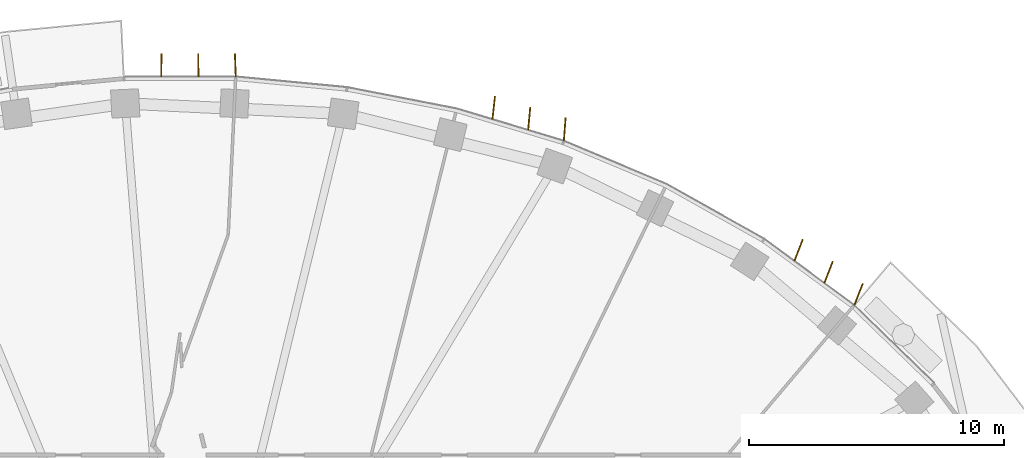
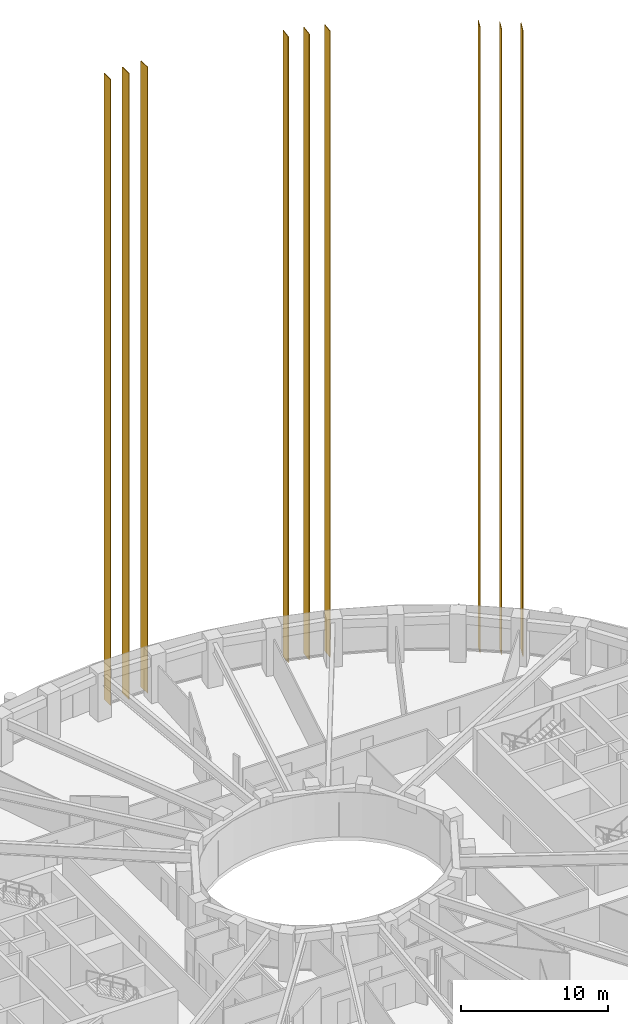
# One storey, part 17 of 19: 9 coverings.
"""IFC4 building model written with IfcOpenShell, lengths in metres."""

from ifc_helpers import new_model, si_unit, direction, frame, origin, origin_2d, place, context, subcontext, project, spatial, rectangle, extrude, material, material_profile, profile_set, type_object, element, save


model = new_model("IFC4")

# Units and contexts
model_context = context("Model", 3, precision=1e-05, world=origin(), true_north=direction((0.0, 1.0)))
body_context = subcontext(model_context, "Body", "Model", "MODEL_VIEW")
ifc_project = project(units=[si_unit("LENGTHUNIT", "METRE"), si_unit("AREAUNIT", "SQUARE_METRE"), si_unit("VOLUMEUNIT", "CUBIC_METRE"), si_unit("PLANEANGLEUNIT", "RADIAN"), si_unit("MASSUNIT", "GRAM", prefix="KILO")], contexts=[model_context])

# Site, building, storey
site_placement = place(None, origin())
site = spatial("IfcSite", under=ifc_project, at=site_placement, CompositionType="ELEMENT")
building_placement = place(site_placement, origin())
building = spatial("IfcBuilding", under=site, at=building_placement, Name="Noorbagh Ring Tower", CompositionType="ELEMENT")
storey_placement = place(building_placement, frame((0.0, 0.0, 233.5)))
storey = spatial("IfcBuildingStorey", under=building, at=storey_placement, Name="L48", CompositionType="ELEMENT", Elevation=233.5)

# Coverings
ifc_material = material(Name="Aluminium 6063-T6 black anodised", Category="aluminium")
ifc_material_profile = material_profile(ifc_material, rectangle(XDim=0.89990234375, YDim=0.050048828125, at=origin_2d()), Name="900x50")
ifc_profile_set = profile_set([ifc_material_profile], Name="Aluminium 6063-T6 black anodised")
covering_type = type_object("IfcCoveringType", Name="ENV-FIN", PredefinedType="CLADDING", material=ifc_profile_set)
for number, where, z_axis, x_axis, name in (
    (1, (26.633544921875, 19.406982421875, -0.284912109375), (0.0, 0.0, 1.0), (0.36956351025, 0.929205473451, 0.0), "Fin F06 1 L48-L60"),
    (2, (25.455078125, 20.2744140625, -0.284912109375), (0.0, 0.0, 1.0), (0.366046969104, 0.930596376745, 0.0), "Fin F06 2 L48-L60"),
    (3, (24.277587890625, 21.1416015625, -0.284912109375), (0.0, 0.0, 1.0), (0.364533046139, 0.931190452202, 0.0), "Fin F06 3 L48-L60"),
    (4, (15.102294921875, 25.884521484375, -0.284912109375), (0.0, 0.0, 1.0), (0.078357246483, 0.996925344208, 0.0), "Fin F09 1 L48-L60"),
    (5, (13.708740234375, 26.304931640625, -0.284912109375), (0.0, 0.0, 1.0), (0.092918421481, 0.995673725148, 0.0), "Fin F09 2 L48-L60"),
    (6, (12.31591796875, 26.72509765625, -0.284912109375), (0.0, 0.0, 1.0), (0.109101232004, 0.994030643982, 0.0), "Fin F09 3 L48-L60"),
    (7, (2.17724609375, 28.399169921875, -0.284912109375), (0.0, 0.0, 1.0), (-0.035640795498, 0.999364665023, 0.0), "Fin F12 1 L48-L60"),
    (8, (0.7255859375, 28.398681640625, -0.284912109375), (0.0, 0.0, 1.0), (-0.011915412219, 0.999929008956, 0.0), "Fin F12 2 L48-L60"),
    (9, (-0.7255859375, 28.398681640625, -0.284912109375), (0.0, 0.0, 1.0), (0.011915412219, 0.999929008956, 0.0), "Fin F12 3 L48-L60"),
):
    element("IfcCovering", number, at=place(storey_placement, frame(where, z_axis=z_axis, x_axis=x_axis)), inside=storey, type_object=covering_type, Name=name, ObjectType="FIN", PredefinedType="CLADDING", context=body_context, shape_type="SweptSolid", body=[
        extrude(rectangle(XDim=0.89990234375, YDim=0.050048828125, at=origin_2d()), origin(), (0.0, 0.0, 1.0), 51.969970703125),
    ])

save(model, "model.ifc")
